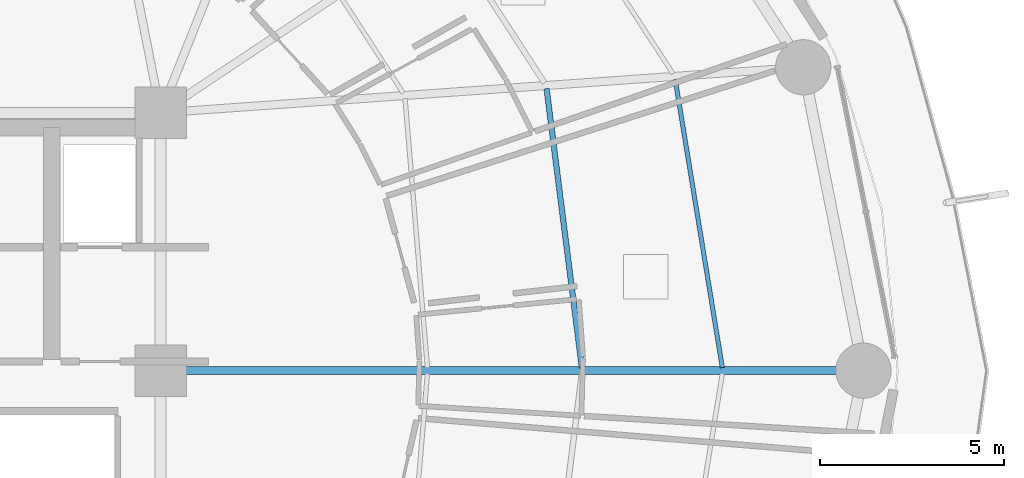
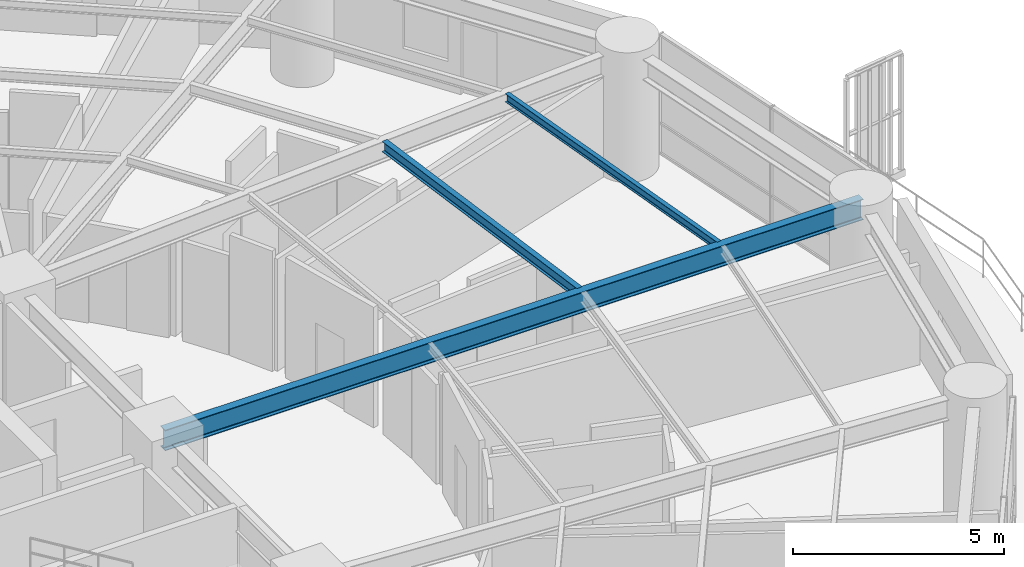
# One storey, part 13 of 32: 3 beams.
"""IFC4 building model written with IfcOpenShell, lengths in metres."""

from ifc_helpers import new_model, si_unit, direction, frame, origin, origin_2d, place, context, subcontext, project, spatial, i_section, extrude, material, material_profile, profile_set, type_object, element, save


model = new_model("IFC4")

# Units and contexts
model_context = context("Model", 3, precision=1e-05, world=origin(), true_north=direction((0.0, 1.0)))
body_context = subcontext(model_context, "Body", "Model", "MODEL_VIEW")
ifc_project = project(units=[si_unit("LENGTHUNIT", "METRE"), si_unit("AREAUNIT", "SQUARE_METRE"), si_unit("VOLUMEUNIT", "CUBIC_METRE"), si_unit("PLANEANGLEUNIT", "RADIAN"), si_unit("MASSUNIT", "GRAM", prefix="KILO")], contexts=[model_context])

# Site, building, storey
site_placement = place(None, origin())
site = spatial("IfcSite", under=ifc_project, at=site_placement, CompositionType="ELEMENT")
building_placement = place(site_placement, origin())
building = spatial("IfcBuilding", under=site, at=building_placement, Name="Kelanora Arch Commons", CompositionType="ELEMENT")
storey_placement = place(building_placement, frame((0.0, 0.0, 60.0)))
storey = spatial("IfcBuildingStorey", under=building, at=storey_placement, Name="L15", CompositionType="ELEMENT", Elevation=60.0)

# Beams
ifc_material = material(Name="Steel S355", Category="steel")
ifc_material_profile_1 = material_profile(ifc_material, i_section(OverallWidth=0.14990234375, OverallDepth=0.300048828125, WebThickness=0.007080078125, FlangeThickness=0.0107421875, FilletRadius=0.014892578125, at=origin_2d()), Name="IPE300")
ifc_profile_set_1 = profile_set([ifc_material_profile_1], Name="Steel S355")
beam_type_1 = type_object("IfcBeamType", Name="BM-JST-01", PredefinedType="JOIST", material=ifc_profile_set_1)
beam_1_placement = place(storey_placement, frame((93.437255859375, 58.084228515625, 3.340087890625), z_axis=(-0.125565841651, 0.992085288375, 0.0), x_axis=(-0.992085288375, -0.125565841651, 0.0)))
element("IfcBeam", 1, at=beam_1_placement, inside=storey, type_object=beam_type_1, Name="Secondary Chord Joist BJB-00 L15", PredefinedType="JOIST", context=body_context, shape_type="SweptSolid", body=[
    extrude(i_section(OverallWidth=0.14990234375, OverallDepth=0.300048828125, WebThickness=0.007080078125, FlangeThickness=0.0107421875, FilletRadius=0.014892578125, at=origin_2d()), origin(), (0.0, 0.0, 1.0), 7.63330078125),
])
ifc_material_profile_2 = material_profile(ifc_material, i_section(OverallWidth=0.1201171875, OverallDepth=0.239990234375, WebThickness=0.006103515625, FlangeThickness=0.009765625, FilletRadius=0.014892578125, at=origin_2d()), Name="IPE240")
ifc_profile_set_2 = profile_set([ifc_material_profile_2], Name="Steel S355")
beam_type_2 = type_object("IfcBeamType", Name="BM-JST-02", PredefinedType="JOIST", material=ifc_profile_set_2)
beam_2_placement = place(storey_placement, frame((97.250244140625, 58.083984375, 3.3701171875), z_axis=(-0.161400737199, 0.986888951216, 0.0), x_axis=(-0.986888951216, -0.161400737199, 0.0)))
element("IfcBeam", 2, at=beam_2_placement, inside=storey, type_object=beam_type_2, Name="Secondary Chord Joist BJC-00 L15", PredefinedType="JOIST", context=body_context, shape_type="SweptSolid", body=[
    extrude(i_section(OverallWidth=0.1201171875, OverallDepth=0.239990234375, WebThickness=0.006103515625, FlangeThickness=0.009765625, FilletRadius=0.014892578125, at=origin_2d()), origin(), (0.0, 0.0, 1.0), 7.9248046875),
])
ifc_material_profile_3 = material_profile(ifc_material, i_section(OverallWidth=0.219970703125, OverallDepth=0.60009765625, WebThickness=0.011962890625, FlangeThickness=0.01904296875, FilletRadius=0.02392578125, at=origin_2d()), Name="IPE600")
ifc_profile_set_3 = profile_set([ifc_material_profile_3], Name="Steel S355")
beam_type_3 = type_object("IfcBeamType", Name="BM-RAD-Z1", PredefinedType="BEAM", material=ifc_profile_set_3)
beam_3_placement = place(storey_placement, frame((82.0, 58.0, 3.18994140625), z_axis=(1.0, 0.0, 0.0), x_axis=(0.0, 1.0, 0.0)))
element("IfcBeam", 3, at=beam_3_placement, inside=storey, type_object=beam_type_3, Name="Radial Floor Girder BR-00 L15", PredefinedType="BEAM", context=body_context, shape_type="SweptSolid", body=[
    extrude(i_section(OverallWidth=0.219970703125, OverallDepth=0.60009765625, WebThickness=0.011962890625, FlangeThickness=0.01904296875, FilletRadius=0.02392578125, at=origin_2d()), origin(), (0.0, 0.0, 1.0), 19.080078125),
])

save(model, "model.ifc")
